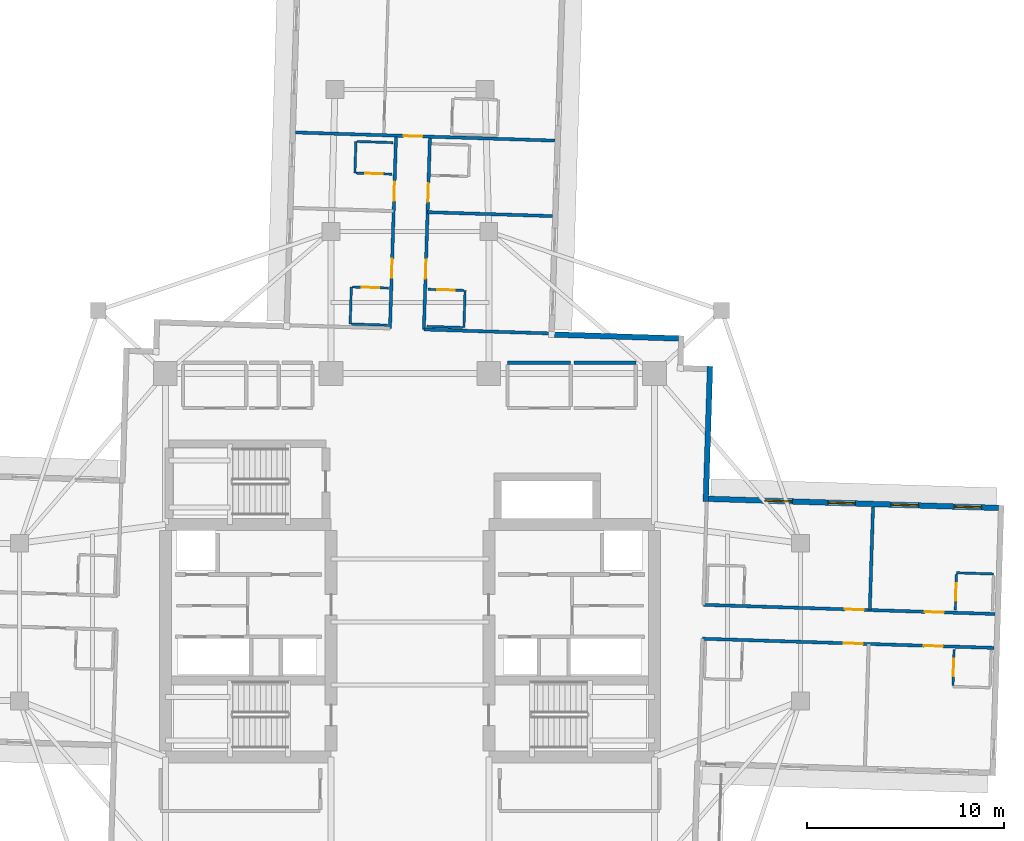
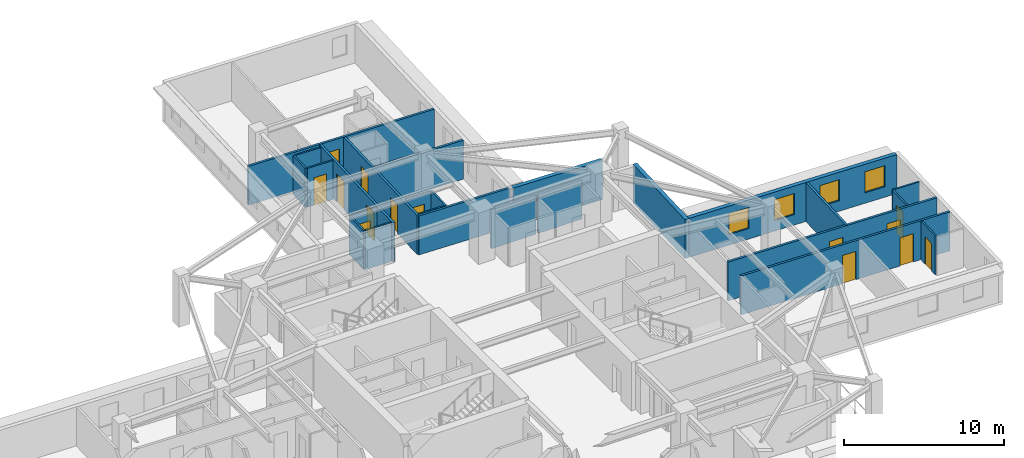
# One storey, part 8 of 14: 25 walls, 14 doors, 4 windows, 18 openings.
"""IFC4 building model written with IfcOpenShell, lengths in metres."""

from ifc_helpers import new_model, si_unit, direction, frame, frame_2d, origin, place, context, subcontext, project, spatial, rectangle, extrude, material, layer, layer_set, type_object, element, fill, save


model = new_model("IFC4")

# Units and contexts
model_context = context("Model", 3, precision=1e-05, world=origin(), true_north=direction((0.0, 1.0)))
body_context = subcontext(model_context, "Body", "Model", "MODEL_VIEW")
ifc_project = project(units=[si_unit("LENGTHUNIT", "METRE"), si_unit("AREAUNIT", "SQUARE_METRE"), si_unit("VOLUMEUNIT", "CUBIC_METRE"), si_unit("PLANEANGLEUNIT", "RADIAN"), si_unit("MASSUNIT", "GRAM", prefix="KILO")], contexts=[model_context])

# Site, building, storey
site_placement = place(None, origin())
site = spatial("IfcSite", under=ifc_project, at=site_placement, CompositionType="ELEMENT")
building_placement = place(site_placement, origin())
building = spatial("IfcBuilding", under=site, at=building_placement, Name="Qingluan Cross Belvedere", CompositionType="ELEMENT")
storey_placement = place(building_placement, frame((0.0, 0.0, 176.10009765625)))
storey = spatial("IfcBuildingStorey", under=building, at=storey_placement, Name="L44", CompositionType="ELEMENT", Elevation=176.10009765625)

# Walls
ifc_material_1 = material(Name="Gypsum plasterboard on steel stud acoustic partition", Category="steel")
ifc_layer_1 = layer(ifc_material_1, 0.159912109375, Name="CorridorPartition_160")
ifc_layer_set_1 = layer_set([ifc_layer_1], Name="Gypsum plasterboard on steel stud acoustic partition")
wall_type_1 = type_object("IfcWallType", Name="CorridorPartition_160", PredefinedType="PARTITIONING", material=ifc_layer_set_1)
wall_1_placement = place(storey_placement, frame((4.949951171875, 13.14990234375, 0.0), z_axis=(0.0, 0.0, 1.0), x_axis=(1.0, 0.0, 0.0)))
element("IfcWall", 1, at=wall_1_placement, inside=storey, type_object=wall_type_1, Name="Partition L44:q_ne1:N", PredefinedType="PARTITIONING", context=body_context, shape_type="SweptSolid", body=[
    extrude(rectangle(XDim=3.199951171875, YDim=0.159912109375, at=frame_2d((1.60009765625, 0.0))), origin(), (0.0, 0.0, 1.0), 2.9599609375),
])
wall_2_placement = place(storey_placement, frame((8.31005859375, 13.14990234375, 0.0), z_axis=(0.0, 0.0, 1.0), x_axis=(1.0, 0.0, 0.0)))
element("IfcWall", 2, at=wall_2_placement, inside=storey, type_object=wall_type_1, Name="Partition L44:q_ne2:N", PredefinedType="PARTITIONING", context=body_context, shape_type="SweptSolid", body=[
    extrude(rectangle(XDim=3.139892578125, YDim=0.159912109375, at=frame_2d((1.56982421875, 0.0))), origin(), (0.0, 0.0, 1.0), 2.9599609375),
])

# Wall, openings, doors
wall_3_placement = place(storey_placement, frame((14.884765625, 0.872802734375, 0.0), z_axis=(0.0, 0.0, 1.0), x_axis=(0.999506468759, -0.031413673903, 0.0)))
wall_3 = element("IfcWall", 3, at=wall_3_placement, inside=storey, type_object=wall_type_1, Name="Partition L44:E:c0", PredefinedType="PARTITIONING", context=body_context, shape_type="SweptSolid", body=[
    extrude(rectangle(XDim=14.781982421875, YDim=0.159912109375, at=frame_2d((7.39111328125, 0.0))), origin(), (0.0, 0.0, 1.0), 2.9599609375),
])
opening_1_placement = place(wall_3_placement, frame((7.175048828125, 0.0, 0.0)))
opening_1 = element("IfcOpeningElement", 4, at=opening_1_placement, cuts=wall_3, Name="Opening GD-10", PredefinedType="OPENING", context=body_context, shape_type="SweptSolid", body=[
    extrude(rectangle(XDim=0.9599609375, YDim=2.14990234375, at=frame_2d((0.47998046875, 1.074951171875))), frame((0.0, 0.08984375, 0.0), z_axis=(0.0, -1.0, 0.0), x_axis=(1.0, 0.0, 0.0)), (0.0, 0.0, 1.0), 0.179931640625),
])
opening_2_placement = place(wall_3_placement, frame((11.23291015625, 0.0, 0.0)))
opening_2 = element("IfcOpeningElement", 5, at=opening_2_placement, cuts=wall_3, Name="Opening GD-10", PredefinedType="OPENING", context=body_context, shape_type="SweptSolid", body=[
    extrude(rectangle(XDim=0.9599609375, YDim=2.14990234375, at=frame_2d((0.47998046875, 1.074951171875))), frame((0.0, 0.08984375, 0.0), z_axis=(0.0, -1.0, 0.0), x_axis=(1.0, 0.0, 0.0)), (0.0, 0.0, 1.0), 0.179931640625),
])
ifc_material_2 = material(Name="Timber oak fire-rated acoustic guestroom door", Category="wood")
door_type_1 = type_object("IfcDoorType", Name="GuestEntryDoor_FD60", OperationType="NOTDEFINED", PredefinedType="DOOR", material=ifc_material_2)
door_1_placement = place(opening_1_placement, origin())
door_1 = element("IfcDoor", 6, at=door_1_placement, inside=storey, type_object=door_type_1, Name="Guest entry fire door 4401", OperationType="SINGLE_SWING_RIGHT", OverallHeight=2.14990234375, OverallWidth=0.9599609375, PredefinedType="DOOR", context=body_context, shape_type="SweptSolid", body=[
    extrude(rectangle(XDim=0.9599609375, YDim=2.14990234375, at=frame_2d((0.47998046875, 1.074951171875))), frame((0.0, 0.02490234375, 0.0), z_axis=(0.0, -1.0, 0.0), x_axis=(1.0, 0.0, 0.0)), (0.0, 0.0, 1.0), 0.050048828125),
])
fill(opening_1, door_1)
door_2_placement = place(opening_2_placement, origin())
door_2 = element("IfcDoor", 7, at=door_2_placement, inside=storey, type_object=door_type_1, Name="Guest entry fire door 4402", OperationType="SINGLE_SWING_RIGHT", OverallHeight=2.14990234375, OverallWidth=0.9599609375, PredefinedType="DOOR", context=body_context, shape_type="SweptSolid", body=[
    extrude(rectangle(XDim=0.9599609375, YDim=2.14990234375, at=frame_2d((0.47998046875, 1.074951171875))), frame((0.0, 0.02490234375, 0.0), z_axis=(0.0, -1.0, 0.0), x_axis=(1.0, 0.0, 0.0)), (0.0, 0.0, 1.0), 0.050048828125),
])
fill(opening_2, door_2)

# Wall
wall_4_placement = place(storey_placement, frame((23.315673828125, 0.60791015625, 0.0), z_axis=(0.0, 0.0, 1.0), x_axis=(0.031403737797, 0.999506780994, 0.0)))
element("IfcWall", 8, at=wall_4_placement, inside=storey, type_object=wall_type_1, Name="Partition L44:E:d0_0", PredefinedType="PARTITIONING", context=body_context, shape_type="SweptSolid", body=[
    extrude(rectangle(XDim=5.232177734375, YDim=0.159912109375, at=frame_2d((2.6162109375, 0.0))), origin(), (0.0, 0.0, 1.0), 2.9599609375),
])

# Wall, openings, doors
wall_5_placement = place(storey_placement, frame((14.830810546875, -0.84619140625, 0.0), z_axis=(0.0, 0.0, 1.0), x_axis=(0.999506468759, -0.031413673903, 0.0)))
wall_5 = element("IfcWall", 9, at=wall_5_placement, inside=storey, type_object=wall_type_1, Name="Partition L44:E:c1", PredefinedType="PARTITIONING", context=body_context, shape_type="SweptSolid", body=[
    extrude(rectangle(XDim=14.781982421875, YDim=0.159912109375, at=frame_2d((7.39111328125, 0.0))), origin(), (0.0, 0.0, 1.0), 2.9599609375),
])
opening_3_placement = place(wall_5_placement, frame((7.175048828125, 0.0, 0.0)))
opening_3 = element("IfcOpeningElement", 10, at=opening_3_placement, cuts=wall_5, Name="Opening GD-10", PredefinedType="OPENING", context=body_context, shape_type="SweptSolid", body=[
    extrude(rectangle(XDim=0.9599609375, YDim=2.14990234375, at=frame_2d((0.47998046875, 1.074951171875))), frame((0.0, 0.08984375, 0.0), z_axis=(0.0, -1.0, 0.0), x_axis=(1.0, 0.0, 0.0)), (0.0, 0.0, 1.0), 0.179931640625),
])
opening_4_placement = place(wall_5_placement, frame((11.23291015625, 0.0, 0.0)))
opening_4 = element("IfcOpeningElement", 11, at=opening_4_placement, cuts=wall_5, Name="Opening GD-10", PredefinedType="OPENING", context=body_context, shape_type="SweptSolid", body=[
    extrude(rectangle(XDim=0.9599609375, YDim=2.14990234375, at=frame_2d((0.47998046875, 1.074951171875))), frame((0.0, 0.08984375, 0.0), z_axis=(0.0, -1.0, 0.0), x_axis=(1.0, 0.0, 0.0)), (0.0, 0.0, 1.0), 0.179931640625),
])
door_3_placement = place(opening_3_placement, origin())
door_3 = element("IfcDoor", 12, at=door_3_placement, inside=storey, type_object=door_type_1, Name="Guest entry fire door 4403", OperationType="SINGLE_SWING_RIGHT", OverallHeight=2.14990234375, OverallWidth=0.9599609375, PredefinedType="DOOR", context=body_context, shape_type="SweptSolid", body=[
    extrude(rectangle(XDim=0.9599609375, YDim=2.14990234375, at=frame_2d((0.47998046875, 1.074951171875))), frame((0.0, 0.02490234375, 0.0), z_axis=(0.0, -1.0, 0.0), x_axis=(1.0, 0.0, 0.0)), (0.0, 0.0, 1.0), 0.050048828125),
])
fill(opening_3, door_3)
door_4_placement = place(opening_4_placement, origin())
door_4 = element("IfcDoor", 13, at=door_4_placement, inside=storey, type_object=door_type_1, Name="Guest entry fire door 4404", OperationType="SINGLE_SWING_RIGHT", OverallHeight=2.14990234375, OverallWidth=0.9599609375, PredefinedType="DOOR", context=body_context, shape_type="SweptSolid", body=[
    extrude(rectangle(XDim=0.9599609375, YDim=2.14990234375, at=frame_2d((0.47998046875, 1.074951171875))), frame((0.0, 0.02490234375, 0.0), z_axis=(0.0, -1.0, 0.0), x_axis=(1.0, 0.0, 0.0)), (0.0, 0.0, 1.0), 0.050048828125),
])
fill(opening_4, door_4)

wall_6_placement = place(storey_placement, frame((0.706298828125, 14.835205078125, 0.0), z_axis=(0.0, 0.0, 1.0), x_axis=(0.031411552371, 0.999506535435, 0.0)))
wall_6 = element("IfcWall", 14, at=wall_6_placement, inside=storey, type_object=wall_type_1, Name="Partition L44:N:c0", PredefinedType="PARTITIONING", context=body_context, shape_type="SweptSolid", body=[
    extrude(rectangle(XDim=9.699951171875, YDim=0.159912109375, at=frame_2d((4.85009765625, 0.0))), origin(), (0.0, 0.0, 1.0), 2.9599609375),
])
opening_5_placement = place(wall_6_placement, frame((2.574951171875, 0.0, 0.0)))
opening_5 = element("IfcOpeningElement", 15, at=opening_5_placement, cuts=wall_6, Name="Opening GD-10", PredefinedType="OPENING", context=body_context, shape_type="SweptSolid", body=[
    extrude(rectangle(XDim=0.9599609375, YDim=2.14990234375, at=frame_2d((0.47998046875, 1.074951171875))), frame((0.0, 0.08984375, 0.0), z_axis=(0.0, -1.0, 0.0), x_axis=(1.0, 0.0, 0.0)), (0.0, 0.0, 1.0), 0.179931640625),
])
opening_6_placement = place(wall_6_placement, frame((6.467041015625, 0.0, 0.0)))
opening_6 = element("IfcOpeningElement", 16, at=opening_6_placement, cuts=wall_6, Name="Opening GD-10", PredefinedType="OPENING", context=body_context, shape_type="SweptSolid", body=[
    extrude(rectangle(XDim=0.9599609375, YDim=2.14990234375, at=frame_2d((0.47998046875, 1.074951171875))), frame((0.0, 0.08984375, 0.0), z_axis=(0.0, -1.0, 0.0), x_axis=(1.0, 0.0, 0.0)), (0.0, 0.0, 1.0), 0.179931640625),
])
door_5_placement = place(opening_5_placement, origin())
door_5 = element("IfcDoor", 17, at=door_5_placement, inside=storey, type_object=door_type_1, Name="Guest entry fire door 4411", OperationType="SINGLE_SWING_RIGHT", OverallHeight=2.14990234375, OverallWidth=0.9599609375, PredefinedType="DOOR", context=body_context, shape_type="SweptSolid", body=[
    extrude(rectangle(XDim=0.9599609375, YDim=2.14990234375, at=frame_2d((0.47998046875, 1.074951171875))), frame((0.0, 0.02490234375, 0.0), z_axis=(0.0, -1.0, 0.0), x_axis=(1.0, 0.0, 0.0)), (0.0, 0.0, 1.0), 0.050048828125),
])
fill(opening_5, door_5)
door_6_placement = place(opening_6_placement, origin())
door_6 = element("IfcDoor", 18, at=door_6_placement, inside=storey, type_object=door_type_1, Name="Guest entry fire door 4412", OperationType="SINGLE_SWING_RIGHT", OverallHeight=2.14990234375, OverallWidth=0.9599609375, PredefinedType="DOOR", context=body_context, shape_type="SweptSolid", body=[
    extrude(rectangle(XDim=0.9599609375, YDim=2.14990234375, at=frame_2d((0.47998046875, 1.074951171875))), frame((0.0, 0.02490234375, 0.0), z_axis=(0.0, -1.0, 0.0), x_axis=(1.0, 0.0, 0.0)), (0.0, 0.0, 1.0), 0.050048828125),
])
fill(opening_6, door_6)

# Walls
wall_7_placement = place(storey_placement, frame((0.706298828125, 14.835205078125, 0.0), z_axis=(0.0, 0.0, 1.0), x_axis=(0.999506214218, -0.031421771746, 0.0)))
element("IfcWall", 19, at=wall_7_placement, inside=storey, type_object=wall_type_1, Name="Partition L44:N:s0", PredefinedType="PARTITIONING", context=body_context, shape_type="SweptSolid", body=[
    extrude(rectangle(XDim=6.47998046875, YDim=0.159912109375, at=frame_2d((3.239990234375, 0.0))), origin(), (0.0, 0.0, 1.0), 2.9599609375),
])
wall_8_placement = place(storey_placement, frame((0.893310546875, 20.7822265625, 0.0), z_axis=(0.0, 0.0, 1.0), x_axis=(0.999506152458, -0.031423736229, 0.0)))
element("IfcWall", 20, at=wall_8_placement, inside=storey, type_object=wall_type_1, Name="Partition L44:N:d0_0", PredefinedType="PARTITIONING", context=body_context, shape_type="SweptSolid", body=[
    extrude(rectangle(XDim=6.33203125, YDim=0.159912109375, at=frame_2d((3.166015625, 0.0))), origin(), (0.0, 0.0, 1.0), 2.9599609375),
])

# Wall, openings, doors
wall_9_placement = place(storey_placement, frame((-1.0126953125, 14.88916015625, 0.0), z_axis=(0.0, 0.0, 1.0), x_axis=(0.031410762168, 0.999506560269, 0.0)))
wall_9 = element("IfcWall", 21, at=wall_9_placement, inside=storey, type_object=wall_type_1, Name="Partition L44:N:c1", PredefinedType="PARTITIONING", context=body_context, shape_type="SweptSolid", body=[
    extrude(rectangle(XDim=9.7001953125, YDim=0.159912109375, at=frame_2d((4.85009765625, 0.0))), origin(), (0.0, 0.0, 1.0), 2.9599609375),
])
opening_7_placement = place(wall_9_placement, frame((2.574951171875, 0.0, 0.0)))
opening_7 = element("IfcOpeningElement", 22, at=opening_7_placement, cuts=wall_9, Name="Opening GD-10", PredefinedType="OPENING", context=body_context, shape_type="SweptSolid", body=[
    extrude(rectangle(XDim=0.9599609375, YDim=2.14990234375, at=frame_2d((0.47998046875, 1.074951171875))), frame((0.0, 0.08984375, 0.0), z_axis=(0.0, -1.0, 0.0), x_axis=(1.0, 0.0, 0.0)), (0.0, 0.0, 1.0), 0.179931640625),
])
opening_8_placement = place(wall_9_placement, frame((6.467041015625, 0.0, 0.0)))
opening_8 = element("IfcOpeningElement", 23, at=opening_8_placement, cuts=wall_9, Name="Opening GD-10", PredefinedType="OPENING", context=body_context, shape_type="SweptSolid", body=[
    extrude(rectangle(XDim=0.9599609375, YDim=2.14990234375, at=frame_2d((0.47998046875, 1.074951171875))), frame((0.0, 0.08984375, 0.0), z_axis=(0.0, -1.0, 0.0), x_axis=(1.0, 0.0, 0.0)), (0.0, 0.0, 1.0), 0.179931640625),
])
door_7_placement = place(opening_7_placement, origin())
door_7 = element("IfcDoor", 24, at=door_7_placement, inside=storey, type_object=door_type_1, Name="Guest entry fire door 4413", OperationType="SINGLE_SWING_RIGHT", OverallHeight=2.14990234375, OverallWidth=0.9599609375, PredefinedType="DOOR", context=body_context, shape_type="SweptSolid", body=[
    extrude(rectangle(XDim=0.9599609375, YDim=2.14990234375, at=frame_2d((0.47998046875, 1.074951171875))), frame((0.0, 0.02490234375, 0.0), z_axis=(0.0, -1.0, 0.0), x_axis=(1.0, 0.0, 0.0)), (0.0, 0.0, 1.0), 0.050048828125),
])
fill(opening_7, door_7)
door_8_placement = place(opening_8_placement, origin())
door_8 = element("IfcDoor", 25, at=door_8_placement, inside=storey, type_object=door_type_1, Name="Guest entry fire door 4414", OperationType="SINGLE_SWING_RIGHT", OverallHeight=2.14990234375, OverallWidth=0.9599609375, PredefinedType="DOOR", context=body_context, shape_type="SweptSolid", body=[
    extrude(rectangle(XDim=0.9599609375, YDim=2.14990234375, at=frame_2d((0.47998046875, 1.074951171875))), frame((0.0, 0.02490234375, 0.0), z_axis=(0.0, -1.0, 0.0), x_axis=(1.0, 0.0, 0.0)), (0.0, 0.0, 1.0), 0.050048828125),
])
fill(opening_8, door_8)

# Wall, opening, door
wall_10_placement = place(storey_placement, frame((-5.795166015625, 24.82421875, 0.0), z_axis=(0.0, 0.0, 1.0), x_axis=(0.999507189267, -0.031390740738, 0.0)))
wall_10 = element("IfcWall", 26, at=wall_10_placement, inside=storey, type_object=wall_type_1, Name="Partition L44:Ncap:in", PredefinedType="PARTITIONING", context=body_context, shape_type="SweptSolid", body=[
    extrude(rectangle(XDim=13.14404296875, YDim=0.159912109375, at=frame_2d((6.572021484375, 0.0))), origin(), (0.0, 0.0, 1.0), 2.9599609375),
])
opening_9_placement = place(wall_10_placement, frame((5.471923828125, 0.0, 0.0)))
opening_9 = element("IfcOpeningElement", 27, at=opening_9_placement, cuts=wall_10, Name="Opening GD-10", PredefinedType="OPENING", context=body_context, shape_type="SweptSolid", body=[
    extrude(rectangle(XDim=0.9599609375, YDim=2.14990234375, at=frame_2d((0.47998046875, 1.074951171875))), frame((0.0, 0.08984375, 0.0), z_axis=(0.0, -1.0, 0.0), x_axis=(1.0, 0.0, 0.0)), (0.0, 0.0, 1.0), 0.179931640625),
])
door_9_placement = place(opening_9_placement, origin())
door_9 = element("IfcDoor", 28, at=door_9_placement, inside=storey, type_object=door_type_1, Name="Horizon corner suite door L44N", OperationType="SINGLE_SWING_LEFT", OverallHeight=2.14990234375, OverallWidth=0.9599609375, PredefinedType="DOOR", context=body_context, shape_type="SweptSolid", body=[
    extrude(rectangle(XDim=0.9599609375, YDim=2.14990234375, at=frame_2d((0.47998046875, 1.074951171875))), frame((0.0, 0.02490234375, 0.0), z_axis=(0.0, -1.0, 0.0), x_axis=(1.0, 0.0, 0.0)), (0.0, 0.0, 1.0), 0.050048828125),
])
fill(opening_9, door_9)

ifc_material_3 = material(Name="Moisture-resistant gypsum board lining")
ifc_layer_2 = layer(ifc_material_3, 0.1201171875, Name="EnsuiteWetPartition_120")
ifc_layer_set_2 = layer_set([ifc_layer_2], Name="Moisture-resistant gypsum board lining")
wall_type_2 = type_object("IfcWallType", Name="EnsuiteWetPartition_120", PredefinedType="PARTITIONING", material=ifc_layer_set_2)
wall_11_placement = place(storey_placement, frame((27.65283203125, 0.61181640625, 0.0), z_axis=(0.0, 0.0, 1.0), x_axis=(0.031389704724, 0.999507221803, 0.0)))
wall_11 = element("IfcWall", 29, at=wall_11_placement, inside=storey, type_object=wall_type_2, Name="Partition L44:E:bs0_1", PredefinedType="PARTITIONING", context=body_context, shape_type="SweptSolid", body=[
    extrude(rectangle(XDim=1.820068359375, YDim=0.1201171875, at=frame_2d((0.91015625, 0.0))), origin(), (0.0, 0.0, 1.0), 2.9599609375),
])
opening_10_placement = place(wall_11_placement, frame((0.469970703125, 0.0, 0.0)))
opening_10 = element("IfcOpeningElement", 30, at=opening_10_placement, cuts=wall_11, Name="Opening BD-09", PredefinedType="OPENING", context=body_context, shape_type="SweptSolid", body=[
    extrude(rectangle(XDim=0.8798828125, YDim=2.10009765625, at=frame_2d((0.43994140625, 1.050048828125))), frame((0.0, 0.070068359375, 0.0), z_axis=(0.0, -1.0, 0.0), x_axis=(1.0, 0.0, 0.0)), (0.0, 0.0, 1.0), 0.14013671875),
])
ifc_material_4 = material(Name="Moisture-sealed timber en-suite door", Category="wood")
door_type_2 = type_object("IfcDoorType", Name="BathroomDoor_880", OperationType="NOTDEFINED", PredefinedType="DOOR", material=ifc_material_4)
door_10_placement = place(opening_10_placement, origin())
door_10 = element("IfcDoor", 31, at=door_10_placement, inside=storey, type_object=door_type_2, Name="Bathroom door 4402", OperationType="SINGLE_SWING_LEFT", OverallHeight=2.10009765625, OverallWidth=0.8798828125, PredefinedType="DOOR", context=body_context, shape_type="SweptSolid", body=[
    extrude(rectangle(XDim=0.8798828125, YDim=2.10009765625, at=frame_2d((0.43994140625, 1.050048828125))), frame((0.0, 0.02490234375, 0.0), z_axis=(0.0, -1.0, 0.0), x_axis=(1.0, 0.0, 0.0)), (0.0, 0.0, 1.0), 0.050048828125),
])
fill(opening_10, door_10)

# Wall
wall_12_placement = place(storey_placement, frame((27.712158203125, 2.495849609375, 0.0), z_axis=(0.0, 0.0, 1.0), x_axis=(0.999505975261, -0.031429371883, 0.0)))
element("IfcWall", 32, at=wall_12_placement, inside=storey, type_object=wall_type_2, Name="Partition L44:E:bn0_1", PredefinedType="PARTITIONING", context=body_context, shape_type="SweptSolid", body=[
    extrude(rectangle(XDim=1.8798828125, YDim=0.1201171875, at=frame_2d((0.93994140625, 0.0))), origin(), (0.0, 0.0, 1.0), 2.9599609375),
])

# Wall, opening, door
wall_13_placement = place(storey_placement, frame((27.532958984375, -3.206298828125, 0.0), z_axis=(0.0, 0.0, 1.0), x_axis=(0.031389704724, 0.999507221803, 0.0)))
wall_13 = element("IfcWall", 33, at=wall_13_placement, inside=storey, type_object=wall_type_2, Name="Partition L44:E:bs1_1", PredefinedType="PARTITIONING", context=body_context, shape_type="SweptSolid", body=[
    extrude(rectangle(XDim=1.820068359375, YDim=0.1201171875, at=frame_2d((0.91015625, 0.0))), origin(), (0.0, 0.0, 1.0), 2.9599609375),
])
opening_11_placement = place(wall_13_placement, frame((0.469970703125, 0.0, 0.0)))
opening_11 = element("IfcOpeningElement", 34, at=opening_11_placement, cuts=wall_13, Name="Opening BD-09", PredefinedType="OPENING", context=body_context, shape_type="SweptSolid", body=[
    extrude(rectangle(XDim=0.8798828125, YDim=2.10009765625, at=frame_2d((0.43994140625, 1.050048828125))), frame((0.0, 0.070068359375, 0.0), z_axis=(0.0, -1.0, 0.0), x_axis=(1.0, 0.0, 0.0)), (0.0, 0.0, 1.0), 0.14013671875),
])
door_11_placement = place(opening_11_placement, origin())
door_11 = element("IfcDoor", 35, at=door_11_placement, inside=storey, type_object=door_type_2, Name="Bathroom door 4404", OperationType="SINGLE_SWING_LEFT", OverallHeight=2.10009765625, OverallWidth=0.8798828125, PredefinedType="DOOR", context=body_context, shape_type="SweptSolid", body=[
    extrude(rectangle(XDim=0.8798828125, YDim=2.10009765625, at=frame_2d((0.43994140625, 1.050048828125))), frame((0.0, 0.02490234375, 0.0), z_axis=(0.0, -1.0, 0.0), x_axis=(1.0, 0.0, 0.0)), (0.0, 0.0, 1.0), 0.050048828125),
])
fill(opening_11, door_11)

wall_14_placement = place(storey_placement, frame((0.910400390625, 16.86962890625, 0.0), z_axis=(0.0, 0.0, 1.0), x_axis=(0.999507221803, -0.031389704724, 0.0)))
wall_14 = element("IfcWall", 36, at=wall_14_placement, inside=storey, type_object=wall_type_2, Name="Partition L44:N:bs0_0", PredefinedType="PARTITIONING", context=body_context, shape_type="SweptSolid", body=[
    extrude(rectangle(XDim=1.820068359375, YDim=0.1201171875, at=frame_2d((0.91015625, 0.0))), origin(), (0.0, 0.0, 1.0), 2.9599609375),
])
opening_12_placement = place(wall_14_placement, frame((0.469970703125, 0.0, 0.0)))
opening_12 = element("IfcOpeningElement", 37, at=opening_12_placement, cuts=wall_14, Name="Opening BD-09", PredefinedType="OPENING", context=body_context, shape_type="SweptSolid", body=[
    extrude(rectangle(XDim=0.8798828125, YDim=2.10009765625, at=frame_2d((0.43994140625, 1.050048828125))), frame((0.0, 0.070068359375, 0.0), z_axis=(0.0, -1.0, 0.0), x_axis=(1.0, 0.0, 0.0)), (0.0, 0.0, 1.0), 0.14013671875),
])
door_12_placement = place(opening_12_placement, origin())
door_12 = element("IfcDoor", 38, at=door_12_placement, inside=storey, type_object=door_type_2, Name="Bathroom door 4411", OperationType="SINGLE_SWING_LEFT", OverallHeight=2.10009765625, OverallWidth=0.8798828125, PredefinedType="DOOR", context=body_context, shape_type="SweptSolid", body=[
    extrude(rectangle(XDim=0.8798828125, YDim=2.10009765625, at=frame_2d((0.43994140625, 1.050048828125))), frame((0.0, 0.02490234375, 0.0), z_axis=(0.0, -1.0, 0.0), x_axis=(1.0, 0.0, 0.0)), (0.0, 0.0, 1.0), 0.050048828125),
])
fill(opening_12, door_12)

# Walls
wall_15_placement = place(storey_placement, frame((0.851318359375, 14.99072265625, 0.0), z_axis=(0.0, 0.0, 1.0), x_axis=(0.999507221803, -0.031389704724, 0.0)))
element("IfcWall", 39, at=wall_15_placement, inside=storey, type_object=wall_type_2, Name="Partition L44:N:bw0_0", PredefinedType="PARTITIONING", context=body_context, shape_type="SweptSolid", body=[
    extrude(rectangle(XDim=1.820068359375, YDim=0.1201171875, at=frame_2d((0.91015625, 0.0))), origin(), (0.0, 0.0, 1.0), 2.9599609375),
])
wall_16_placement = place(storey_placement, frame((2.7353515625, 14.931396484375, 0.0), z_axis=(0.0, 0.0, 1.0), x_axis=(0.031425292588, 0.999506103526, 0.0)))
element("IfcWall", 40, at=wall_16_placement, inside=storey, type_object=wall_type_2, Name="Partition L44:N:bn0_0", PredefinedType="PARTITIONING", context=body_context, shape_type="SweptSolid", body=[
    extrude(rectangle(XDim=1.880126953125, YDim=0.1201171875, at=frame_2d((0.93994140625, 0.0))), origin(), (0.0, 0.0, 1.0), 2.9599609375),
])

# Wall, opening, door
wall_17_placement = place(storey_placement, frame((-2.90771484375, 16.98974609375, 0.0), z_axis=(0.0, 0.0, 1.0), x_axis=(0.999507221803, -0.031389704724, 0.0)))
wall_17 = element("IfcWall", 41, at=wall_17_placement, inside=storey, type_object=wall_type_2, Name="Partition L44:N:bs1_0", PredefinedType="PARTITIONING", context=body_context, shape_type="SweptSolid", body=[
    extrude(rectangle(XDim=1.820068359375, YDim=0.1201171875, at=frame_2d((0.91015625, 0.0))), origin(), (0.0, 0.0, 1.0), 2.9599609375),
])
opening_13_placement = place(wall_17_placement, frame((0.469970703125, 0.0, 0.0)))
opening_13 = element("IfcOpeningElement", 42, at=opening_13_placement, cuts=wall_17, Name="Opening BD-09", PredefinedType="OPENING", context=body_context, shape_type="SweptSolid", body=[
    extrude(rectangle(XDim=0.8798828125, YDim=2.10009765625, at=frame_2d((0.43994140625, 1.050048828125))), frame((0.0, 0.070068359375, 0.0), z_axis=(0.0, -1.0, 0.0), x_axis=(1.0, 0.0, 0.0)), (0.0, 0.0, 1.0), 0.14013671875),
])
door_13_placement = place(opening_13_placement, origin())
door_13 = element("IfcDoor", 43, at=door_13_placement, inside=storey, type_object=door_type_2, Name="Bathroom door 4413", OperationType="SINGLE_SWING_LEFT", OverallHeight=2.10009765625, OverallWidth=0.8798828125, PredefinedType="DOOR", context=body_context, shape_type="SweptSolid", body=[
    extrude(rectangle(XDim=0.8798828125, YDim=2.10009765625, at=frame_2d((0.43994140625, 1.050048828125))), frame((0.0, 0.02490234375, 0.0), z_axis=(0.0, -1.0, 0.0), x_axis=(1.0, 0.0, 0.0)), (0.0, 0.0, 1.0), 0.050048828125),
])
fill(opening_13, door_13)

# Walls
wall_18_placement = place(storey_placement, frame((-2.966796875, 15.110595703125, 0.0), z_axis=(0.0, 0.0, 1.0), x_axis=(0.999507221803, -0.031389704724, 0.0)))
element("IfcWall", 44, at=wall_18_placement, inside=storey, type_object=wall_type_2, Name="Partition L44:N:bw1_0", PredefinedType="PARTITIONING", context=body_context, shape_type="SweptSolid", body=[
    extrude(rectangle(XDim=1.820068359375, YDim=0.1201171875, at=frame_2d((0.91015625, 0.0))), origin(), (0.0, 0.0, 1.0), 2.9599609375),
])
wall_19_placement = place(storey_placement, frame((-3.03173828125, 15.11279296875, 0.0), z_axis=(0.0, 0.0, 1.0), x_axis=(0.031429371883, 0.999505975261, 0.0)))
element("IfcWall", 45, at=wall_19_placement, inside=storey, type_object=wall_type_2, Name="Partition L44:N:bc1_0", PredefinedType="PARTITIONING", context=body_context, shape_type="SweptSolid", body=[
    extrude(rectangle(XDim=1.8798828125, YDim=0.1201171875, at=frame_2d((0.93994140625, 0.0))), origin(), (0.0, 0.0, 1.0), 2.9599609375),
])

# Wall, opening, door
wall_20_placement = place(storey_placement, frame((-2.726318359375, 22.766845703125, 0.0), z_axis=(0.0, 0.0, 1.0), x_axis=(0.999507353951, -0.031385496622, 0.0)))
wall_20 = element("IfcWall", 46, at=wall_20_placement, inside=storey, type_object=wall_type_2, Name="Partition L44:N:bs1_1", PredefinedType="PARTITIONING", context=body_context, shape_type="SweptSolid", body=[
    extrude(rectangle(XDim=1.8203125, YDim=0.1201171875, at=frame_2d((0.91015625, 0.0))), origin(), (0.0, 0.0, 1.0), 2.9599609375),
])
opening_14_placement = place(wall_20_placement, frame((0.469970703125, 0.0, 0.0)))
opening_14 = element("IfcOpeningElement", 47, at=opening_14_placement, cuts=wall_20, Name="Opening BD-09", PredefinedType="OPENING", context=body_context, shape_type="SweptSolid", body=[
    extrude(rectangle(XDim=0.8798828125, YDim=2.10009765625, at=frame_2d((0.43994140625, 1.050048828125))), frame((0.0, 0.070068359375, 0.0), z_axis=(0.0, -1.0, 0.0), x_axis=(1.0, 0.0, 0.0)), (0.0, 0.0, 1.0), 0.14013671875),
])
door_14_placement = place(opening_14_placement, origin())
door_14 = element("IfcDoor", 48, at=door_14_placement, inside=storey, type_object=door_type_2, Name="Bathroom door 4414", OperationType="SINGLE_SWING_LEFT", OverallHeight=2.10009765625, OverallWidth=0.8798828125, PredefinedType="DOOR", context=body_context, shape_type="SweptSolid", body=[
    extrude(rectangle(XDim=0.8798828125, YDim=2.10009765625, at=frame_2d((0.43994140625, 1.050048828125))), frame((0.0, 0.02490234375, 0.0), z_axis=(0.0, -1.0, 0.0), x_axis=(1.0, 0.0, 0.0)), (0.0, 0.0, 1.0), 0.050048828125),
])
fill(opening_14, door_14)

# Walls
wall_21_placement = place(storey_placement, frame((-2.676025390625, 24.3662109375, 0.0), z_axis=(0.0, 0.0, 1.0), x_axis=(0.999503004171, -0.03152371574, 0.0)))
element("IfcWall", 49, at=wall_21_placement, inside=storey, type_object=wall_type_2, Name="Partition L44:N:bw1_1", PredefinedType="PARTITIONING", context=body_context, shape_type="SweptSolid", body=[
    extrude(rectangle(XDim=1.820068359375, YDim=0.1201171875, at=frame_2d((0.91015625, 0.0))), origin(), (0.0, 0.0, 1.0), 2.9599609375),
])
wall_22_placement = place(storey_placement, frame((-2.791259765625, 22.768798828125, 0.0), z_axis=(0.0, 0.0, 1.0), x_axis=(0.031430045267, 0.999505954087, 0.0)))
element("IfcWall", 50, at=wall_22_placement, inside=storey, type_object=wall_type_2, Name="Partition L44:N:bc1_1", PredefinedType="PARTITIONING", context=body_context, shape_type="SweptSolid", body=[
    extrude(rectangle(XDim=1.60009765625, YDim=0.1201171875, at=frame_2d((0.800048828125, 0.0))), origin(), (0.0, 0.0, 1.0), 2.9599609375),
])

# Wall, openings, windows
ifc_material_5 = material(Name="Precast concrete C45", Category="concrete")
ifc_layer_3 = layer(ifc_material_5, 0.280029296875, Name="PrecastFacadeWall_280")
ifc_layer_set_3 = layer_set([ifc_layer_3], Name="Precast concrete C45")
wall_type_3 = type_object("IfcWallType", Name="PrecastFacadeWall_280", PredefinedType="STANDARD", material=ifc_layer_set_3)
wall_23_placement = place(storey_placement, frame((29.83642578125, 5.78564453125, 0.0), z_axis=(0.0, 0.0, 1.0), x_axis=(-0.999506698073, 0.031406376864, 0.0)))
wall_23 = element("IfcWall", 51, at=wall_23_placement, inside=storey, type_object=wall_type_3, Name="Facade wall L44-EB", PredefinedType="STANDARD", context=body_context, shape_type="SweptSolid", body=[
    extrude(rectangle(XDim=14.699951171875, YDim=0.280029296875, at=frame_2d((7.35009765625, 0.0))), origin(), (0.0, 0.0, 1.0), 2.969970703125),
])
opening_15_placement = place(wall_23_placement, frame((0.85009765625, 0.0, 0.800048828125)))
opening_15 = element("IfcOpeningElement", 52, at=opening_15_placement, cuts=wall_23, Name="Opening W-01", PredefinedType="OPENING", context=body_context, shape_type="SweptSolid", body=[
    extrude(rectangle(XDim=1.39990234375, YDim=1.60009765625, at=frame_2d((0.699951171875, 0.800048828125))), frame((0.0, 0.14990234375, 0.0), z_axis=(0.0, -1.0, 0.0), x_axis=(1.0, 0.0, 0.0)), (0.0, 0.0, 1.0), 0.300048828125),
])
opening_16_placement = place(wall_23_placement, frame((4.050048828125, 0.0, 0.800048828125)))
opening_16 = element("IfcOpeningElement", 53, at=opening_16_placement, cuts=wall_23, Name="Opening W-01", PredefinedType="OPENING", context=body_context, shape_type="SweptSolid", body=[
    extrude(rectangle(XDim=1.39990234375, YDim=1.60009765625, at=frame_2d((0.699951171875, 0.800048828125))), frame((0.0, 0.14990234375, 0.0), z_axis=(0.0, -1.0, 0.0), x_axis=(1.0, 0.0, 0.0)), (0.0, 0.0, 1.0), 0.300048828125),
])
opening_17_placement = place(wall_23_placement, frame((7.25, 0.0, 0.800048828125)))
opening_17 = element("IfcOpeningElement", 54, at=opening_17_placement, cuts=wall_23, Name="Opening W-01", PredefinedType="OPENING", context=body_context, shape_type="SweptSolid", body=[
    extrude(rectangle(XDim=1.39990234375, YDim=1.60009765625, at=frame_2d((0.699951171875, 0.800048828125))), frame((0.0, 0.14990234375, 0.0), z_axis=(0.0, -1.0, 0.0), x_axis=(1.0, 0.0, 0.0)), (0.0, 0.0, 1.0), 0.300048828125),
])
opening_18_placement = place(wall_23_placement, frame((10.449951171875, 0.0, 0.800048828125)))
opening_18 = element("IfcOpeningElement", 55, at=opening_18_placement, cuts=wall_23, Name="Opening W-01", PredefinedType="OPENING", context=body_context, shape_type="SweptSolid", body=[
    extrude(rectangle(XDim=1.39990234375, YDim=1.60009765625, at=frame_2d((0.699951171875, 0.800048828125))), frame((0.0, 0.14990234375, 0.0), z_axis=(0.0, -1.0, 0.0), x_axis=(1.0, 0.0, 0.0)), (0.0, 0.0, 1.0), 0.300048828125),
])
ifc_material_6 = material(Name="Thermally broken triple Low-E glass in aluminium frame", Category="aluminium")
window_type = type_object("IfcWindowType", Name="TriRibbonWin_1400x1600", PartitioningType="SINGLE_PANEL", PredefinedType="WINDOW", material=ifc_material_6)
window_1_placement = place(opening_15_placement, origin())
window_1 = element("IfcWindow", 56, at=window_1_placement, inside=storey, type_object=window_type, Name="Ribbon window L44-EB-1", OverallHeight=1.60009765625, OverallWidth=1.39990234375, PartitioningType="SINGLE_PANEL", PredefinedType="WINDOW", context=body_context, shape_type="SweptSolid", body=[
    extrude(rectangle(XDim=1.39990234375, YDim=1.60009765625, at=frame_2d((0.699951171875, 0.800048828125))), frame((0.0, 0.030029296875, 0.0), z_axis=(0.0, -1.0, 0.0), x_axis=(1.0, 0.0, 0.0)), (0.0, 0.0, 1.0), 0.06005859375),
])
fill(opening_15, window_1)
window_2_placement = place(opening_16_placement, origin())
window_2 = element("IfcWindow", 57, at=window_2_placement, inside=storey, type_object=window_type, Name="Ribbon window L44-EB-2", OverallHeight=1.60009765625, OverallWidth=1.39990234375, PartitioningType="SINGLE_PANEL", PredefinedType="WINDOW", context=body_context, shape_type="SweptSolid", body=[
    extrude(rectangle(XDim=1.39990234375, YDim=1.60009765625, at=frame_2d((0.699951171875, 0.800048828125))), frame((0.0, 0.030029296875, 0.0), z_axis=(0.0, -1.0, 0.0), x_axis=(1.0, 0.0, 0.0)), (0.0, 0.0, 1.0), 0.06005859375),
])
fill(opening_16, window_2)
window_3_placement = place(opening_17_placement, origin())
window_3 = element("IfcWindow", 58, at=window_3_placement, inside=storey, type_object=window_type, Name="Ribbon window L44-EB-3", OverallHeight=1.60009765625, OverallWidth=1.39990234375, PartitioningType="SINGLE_PANEL", PredefinedType="WINDOW", context=body_context, shape_type="SweptSolid", body=[
    extrude(rectangle(XDim=1.39990234375, YDim=1.60009765625, at=frame_2d((0.699951171875, 0.800048828125))), frame((0.0, 0.030029296875, 0.0), z_axis=(0.0, -1.0, 0.0), x_axis=(1.0, 0.0, 0.0)), (0.0, 0.0, 1.0), 0.06005859375),
])
fill(opening_17, window_3)
window_4_placement = place(opening_18_placement, origin())
window_4 = element("IfcWindow", 59, at=window_4_placement, inside=storey, type_object=window_type, Name="Ribbon window L44-EB-4", OverallHeight=1.60009765625, OverallWidth=1.39990234375, PartitioningType="SINGLE_PANEL", PredefinedType="WINDOW", context=body_context, shape_type="SweptSolid", body=[
    extrude(rectangle(XDim=1.39990234375, YDim=1.60009765625, at=frame_2d((0.699951171875, 0.800048828125))), frame((0.0, 0.030029296875, 0.0), z_axis=(0.0, -1.0, 0.0), x_axis=(1.0, 0.0, 0.0)), (0.0, 0.0, 1.0), 0.06005859375),
])
fill(opening_18, window_4)

# Walls
wall_24_placement = place(storey_placement, frame((14.99951171875, 6.11181640625, 0.0), z_axis=(0.0, 0.0, 1.0), x_axis=(0.031389189386, 0.999507237988, 0.0)))
element("IfcWall", 60, at=wall_24_placement, inside=storey, type_object=wall_type_3, Name="Corner wall L44-NE1", PredefinedType="STANDARD", context=body_context, shape_type="SweptSolid", body=[
    extrude(rectangle(XDim=6.860107421875, YDim=0.280029296875, at=frame_2d((3.43017578125, 0.0))), origin(), (0.0, 0.0, 1.0), 2.969970703125),
])
wall_25_placement = place(storey_placement, frame((13.618408203125, 14.37939453125, 0.0), z_axis=(0.0, 0.0, 1.0), x_axis=(-0.999507224741, 0.031389611199, 0.0)))
element("IfcWall", 61, at=wall_25_placement, inside=storey, type_object=wall_type_3, Name="Corner wall L44-NE4", PredefinedType="STANDARD", context=body_context, shape_type="SweptSolid", body=[
    extrude(rectangle(XDim=6.300048828125, YDim=0.280029296875, at=frame_2d((3.14990234375, 0.0))), origin(), (0.0, 0.0, 1.0), 2.969970703125),
])

save(model, "model.ifc")
